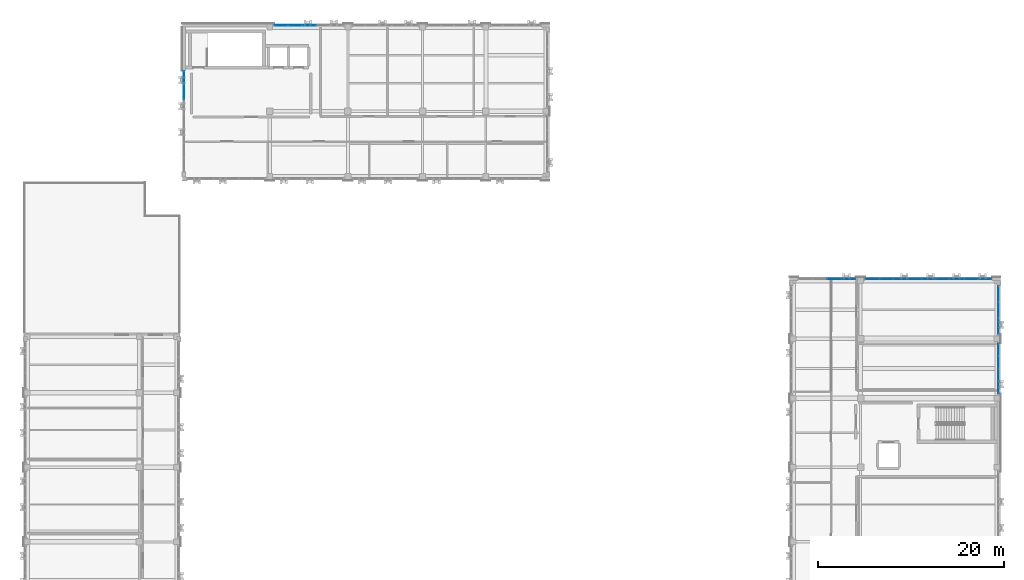
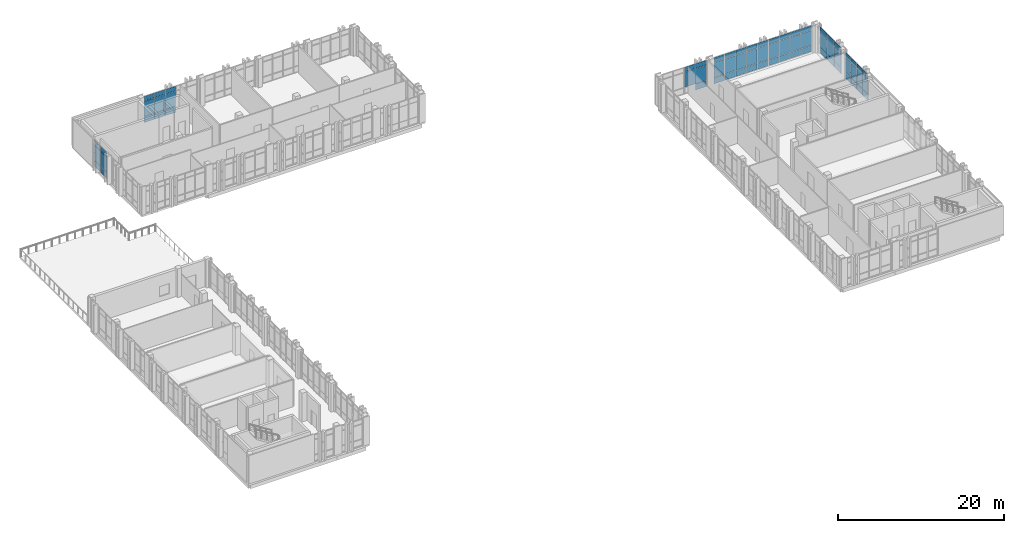
# One storey, part 57 of 77: 68 plates, 6 elements without a shape of their own.
"""IFC4 building model written with IfcOpenShell, lengths in metres."""

from ifc_helpers import new_model, si_unit, direction, frame, origin, origin_2d, place, context, subcontext, project, spatial, rectangle, extrude, material, layer, layer_set, type_object, element, aggregate, save


model = new_model("IFC4")

# Units and contexts
model_context = context("Model", 3, precision=1e-05, world=origin(), true_north=direction((0.0, 1.0)))
body_context = subcontext(model_context, "Body", "Model", "MODEL_VIEW")
ifc_project = project(units=[si_unit("LENGTHUNIT", "METRE"), si_unit("AREAUNIT", "SQUARE_METRE"), si_unit("VOLUMEUNIT", "CUBIC_METRE"), si_unit("PLANEANGLEUNIT", "RADIAN"), si_unit("MASSUNIT", "GRAM", prefix="KILO")], contexts=[model_context])

# Site, building, storey
site_placement = place(None, origin())
site = spatial("IfcSite", under=ifc_project, at=site_placement, CompositionType="ELEMENT")
building_placement = place(site_placement, origin())
building = spatial("IfcBuilding", under=site, at=building_placement, Name="Qalavern Law Courts", CompositionType="ELEMENT")
storey_placement = place(building_placement, frame((0.0, 0.0, 27.0)))
storey = spatial("IfcBuildingStorey", under=building, at=storey_placement, Name="L06", CompositionType="ELEMENT", Elevation=27.0)

# Curtain wall, plates
ifc_material_1 = material(Name="Anodised aluminium and insulated glazing", Category="aluminium")
ifc_layer_1 = layer(ifc_material_1, 0.159912109375)
ifc_layer_set_1 = layer_set([ifc_layer_1], Name="Anodised aluminium and insulated glazing")
curtain_wall_type_1 = type_object("IfcCurtainWallType", Name="ENV-CW-CHAMB", PredefinedType="USERDEFINED", material=ifc_layer_set_1)
curtain_wall_1_placement = place(storey_placement, origin())
curtain_wall_1 = element("IfcCurtainWall", 1, at=curtain_wall_1_placement, inside=storey, type_object=curtain_wall_type_1, Name="V4 unitised curtain wall L06 north 1", ObjectType="UNITISED CURTAIN WALL", PredefinedType="USERDEFINED")
ifc_material_2 = material(Name="Insulated low-E acoustic glazing", Category="glass")
ifc_layer_2 = layer(ifc_material_2, 0.031982421875)
ifc_layer_set_2 = layer_set([ifc_layer_2], Name="Insulated low-E acoustic glazing")
plate_type_1 = type_object("IfcPlateType", Name="ENV-CWP-32", PredefinedType="CURTAIN_PANEL", material=ifc_layer_set_2)
plate_1_placement = place(storey_placement, frame((105.13232421875, 85.614990234375, 0.048095703125), z_axis=(0.0, 0.0, 1.0), x_axis=(-1.0, 0.0, 0.0)))
plate_1 = element("IfcPlate", 2, at=plate_1_placement, type_object=plate_type_1, Name="CW-04 panel 1.1", PredefinedType="CURTAIN_PANEL", context=body_context, shape_type="SweptSolid", body=[
    extrude(rectangle(XDim=1.439208984375, YDim=0.031982421875, at=origin_2d()), origin(), (0.0, 0.0, 1.0), 0.8779296875),
])
plate_2_placement = place(storey_placement, frame((105.13232421875, 85.614990234375, 0.973876953125), z_axis=(0.0, 0.0, 1.0), x_axis=(-1.0, 0.0, 0.0)))
plate_2 = element("IfcPlate", 3, at=plate_2_placement, type_object=plate_type_1, Name="CW-04 panel 1.2", PredefinedType="CURTAIN_PANEL", context=body_context, shape_type="SweptSolid", body=[
    extrude(rectangle(XDim=1.439208984375, YDim=0.031982421875, at=origin_2d()), origin(), (0.0, 0.0, 1.0), 2.18701171875),
])
plate_3_placement = place(storey_placement, frame((105.13232421875, 85.614990234375, 3.208984375), z_axis=(0.0, 0.0, 1.0), x_axis=(-1.0, 0.0, 0.0)))
plate_3 = element("IfcPlate", 4, at=plate_3_placement, type_object=plate_type_1, Name="CW-04 panel 1.3", PredefinedType="CURTAIN_PANEL", context=body_context, shape_type="SweptSolid", body=[
    extrude(rectangle(XDim=1.439208984375, YDim=0.031982421875, at=origin_2d()), origin(), (0.0, 0.0, 1.0), 0.677978515625),
])
plate_4_placement = place(storey_placement, frame((103.63330078125, 85.614990234375, 0.048095703125), z_axis=(0.0, 0.0, 1.0), x_axis=(-1.0, 0.0, 0.0)))
plate_4 = element("IfcPlate", 5, at=plate_4_placement, type_object=plate_type_1, Name="CW-04 panel 2.1", PredefinedType="CURTAIN_PANEL", context=body_context, shape_type="SweptSolid", body=[
    extrude(rectangle(XDim=1.463134765625, YDim=0.031982421875, at=origin_2d()), origin(), (0.0, 0.0, 1.0), 0.8779296875),
])
plate_5_placement = place(storey_placement, frame((103.63330078125, 85.614990234375, 0.973876953125), z_axis=(0.0, 0.0, 1.0), x_axis=(-1.0, 0.0, 0.0)))
plate_5 = element("IfcPlate", 6, at=plate_5_placement, type_object=plate_type_1, Name="CW-04 panel 2.2", PredefinedType="CURTAIN_PANEL", context=body_context, shape_type="SweptSolid", body=[
    extrude(rectangle(XDim=1.463134765625, YDim=0.031982421875, at=origin_2d()), origin(), (0.0, 0.0, 1.0), 2.18701171875),
])
plate_6_placement = place(storey_placement, frame((103.63330078125, 85.614990234375, 3.208984375), z_axis=(0.0, 0.0, 1.0), x_axis=(-1.0, 0.0, 0.0)))
plate_6 = element("IfcPlate", 7, at=plate_6_placement, type_object=plate_type_1, Name="CW-04 panel 2.3", PredefinedType="CURTAIN_PANEL", context=body_context, shape_type="SweptSolid", body=[
    extrude(rectangle(XDim=1.463134765625, YDim=0.031982421875, at=origin_2d()), origin(), (0.0, 0.0, 1.0), 0.677978515625),
])
plate_7_placement = place(storey_placement, frame((102.122314453125, 85.614990234375, 0.048095703125), z_axis=(0.0, 0.0, 1.0), x_axis=(-1.0, 0.0, 0.0)))
plate_7 = element("IfcPlate", 8, at=plate_7_placement, type_object=plate_type_1, Name="CW-04 panel 3.1", PredefinedType="CURTAIN_PANEL", context=body_context, shape_type="SweptSolid", body=[
    extrude(rectangle(XDim=1.463134765625, YDim=0.031982421875, at=origin_2d()), origin(), (0.0, 0.0, 1.0), 0.8779296875),
])
plate_8_placement = place(storey_placement, frame((102.122314453125, 85.614990234375, 0.973876953125), z_axis=(0.0, 0.0, 1.0), x_axis=(-1.0, 0.0, 0.0)))
plate_8 = element("IfcPlate", 9, at=plate_8_placement, type_object=plate_type_1, Name="CW-04 panel 3.2", PredefinedType="CURTAIN_PANEL", context=body_context, shape_type="SweptSolid", body=[
    extrude(rectangle(XDim=1.463134765625, YDim=0.031982421875, at=origin_2d()), origin(), (0.0, 0.0, 1.0), 2.18701171875),
])
plate_9_placement = place(storey_placement, frame((102.122314453125, 85.614990234375, 3.208984375), z_axis=(0.0, 0.0, 1.0), x_axis=(-1.0, 0.0, 0.0)))
plate_9 = element("IfcPlate", 10, at=plate_9_placement, type_object=plate_type_1, Name="CW-04 panel 3.3", PredefinedType="CURTAIN_PANEL", context=body_context, shape_type="SweptSolid", body=[
    extrude(rectangle(XDim=1.463134765625, YDim=0.031982421875, at=origin_2d()), origin(), (0.0, 0.0, 1.0), 0.677978515625),
])
plate_10_placement = place(storey_placement, frame((100.611083984375, 85.614990234375, 0.048095703125), z_axis=(0.0, 0.0, 1.0), x_axis=(-1.0, 0.0, 0.0)))
plate_10 = element("IfcPlate", 11, at=plate_10_placement, type_object=plate_type_1, Name="CW-04 panel 4.1", PredefinedType="CURTAIN_PANEL", context=body_context, shape_type="SweptSolid", body=[
    extrude(rectangle(XDim=1.463134765625, YDim=0.031982421875, at=origin_2d()), origin(), (0.0, 0.0, 1.0), 0.8779296875),
])
plate_11_placement = place(storey_placement, frame((100.611083984375, 85.614990234375, 0.973876953125), z_axis=(0.0, 0.0, 1.0), x_axis=(-1.0, 0.0, 0.0)))
plate_11 = element("IfcPlate", 12, at=plate_11_placement, type_object=plate_type_1, Name="CW-04 panel 4.2", PredefinedType="CURTAIN_PANEL", context=body_context, shape_type="SweptSolid", body=[
    extrude(rectangle(XDim=1.463134765625, YDim=0.031982421875, at=origin_2d()), origin(), (0.0, 0.0, 1.0), 2.18701171875),
])
plate_12_placement = place(storey_placement, frame((100.611083984375, 85.614990234375, 3.208984375), z_axis=(0.0, 0.0, 1.0), x_axis=(-1.0, 0.0, 0.0)))
plate_12 = element("IfcPlate", 13, at=plate_12_placement, type_object=plate_type_1, Name="CW-04 panel 4.3", PredefinedType="CURTAIN_PANEL", context=body_context, shape_type="SweptSolid", body=[
    extrude(rectangle(XDim=1.463134765625, YDim=0.031982421875, at=origin_2d()), origin(), (0.0, 0.0, 1.0), 0.677978515625),
])
plate_13_placement = place(storey_placement, frame((99.10009765625, 85.614990234375, 0.048095703125), z_axis=(0.0, 0.0, 1.0), x_axis=(-1.0, 0.0, 0.0)))
plate_13 = element("IfcPlate", 14, at=plate_13_placement, type_object=plate_type_1, Name="CW-04 panel 5.1", PredefinedType="CURTAIN_PANEL", context=body_context, shape_type="SweptSolid", body=[
    extrude(rectangle(XDim=1.463134765625, YDim=0.031982421875, at=origin_2d()), origin(), (0.0, 0.0, 1.0), 0.8779296875),
])
plate_14_placement = place(storey_placement, frame((99.10009765625, 85.614990234375, 0.973876953125), z_axis=(0.0, 0.0, 1.0), x_axis=(-1.0, 0.0, 0.0)))
plate_14 = element("IfcPlate", 15, at=plate_14_placement, type_object=plate_type_1, Name="CW-04 panel 5.2", PredefinedType="CURTAIN_PANEL", context=body_context, shape_type="SweptSolid", body=[
    extrude(rectangle(XDim=1.463134765625, YDim=0.031982421875, at=origin_2d()), origin(), (0.0, 0.0, 1.0), 2.18701171875),
])
plate_15_placement = place(storey_placement, frame((99.10009765625, 85.614990234375, 3.208984375), z_axis=(0.0, 0.0, 1.0), x_axis=(-1.0, 0.0, 0.0)))
plate_15 = element("IfcPlate", 16, at=plate_15_placement, type_object=plate_type_1, Name="CW-04 panel 5.3", PredefinedType="CURTAIN_PANEL", context=body_context, shape_type="SweptSolid", body=[
    extrude(rectangle(XDim=1.463134765625, YDim=0.031982421875, at=origin_2d()), origin(), (0.0, 0.0, 1.0), 0.677978515625),
])
plate_16_placement = place(storey_placement, frame((97.5888671875, 85.614990234375, 0.048095703125), z_axis=(0.0, 0.0, 1.0), x_axis=(-1.0, 0.0, 0.0)))
plate_16 = element("IfcPlate", 17, at=plate_16_placement, type_object=plate_type_1, Name="CW-04 panel 6.1", PredefinedType="CURTAIN_PANEL", context=body_context, shape_type="SweptSolid", body=[
    extrude(rectangle(XDim=1.463134765625, YDim=0.031982421875, at=origin_2d()), origin(), (0.0, 0.0, 1.0), 0.8779296875),
])
plate_17_placement = place(storey_placement, frame((97.5888671875, 85.614990234375, 0.973876953125), z_axis=(0.0, 0.0, 1.0), x_axis=(-1.0, 0.0, 0.0)))
plate_17 = element("IfcPlate", 18, at=plate_17_placement, type_object=plate_type_1, Name="CW-04 panel 6.2", PredefinedType="CURTAIN_PANEL", context=body_context, shape_type="SweptSolid", body=[
    extrude(rectangle(XDim=1.463134765625, YDim=0.031982421875, at=origin_2d()), origin(), (0.0, 0.0, 1.0), 2.18701171875),
])
plate_18_placement = place(storey_placement, frame((97.5888671875, 85.614990234375, 3.208984375), z_axis=(0.0, 0.0, 1.0), x_axis=(-1.0, 0.0, 0.0)))
plate_18 = element("IfcPlate", 19, at=plate_18_placement, type_object=plate_type_1, Name="CW-04 panel 6.3", PredefinedType="CURTAIN_PANEL", context=body_context, shape_type="SweptSolid", body=[
    extrude(rectangle(XDim=1.463134765625, YDim=0.031982421875, at=origin_2d()), origin(), (0.0, 0.0, 1.0), 0.677978515625),
])
plate_19_placement = place(storey_placement, frame((96.077880859375, 85.614990234375, 0.048095703125), z_axis=(0.0, 0.0, 1.0), x_axis=(-1.0, 0.0, 0.0)))
plate_19 = element("IfcPlate", 20, at=plate_19_placement, type_object=plate_type_1, Name="CW-04 panel 7.1", PredefinedType="CURTAIN_PANEL", context=body_context, shape_type="SweptSolid", body=[
    extrude(rectangle(XDim=1.463134765625, YDim=0.031982421875, at=origin_2d()), origin(), (0.0, 0.0, 1.0), 0.8779296875),
])
plate_20_placement = place(storey_placement, frame((96.077880859375, 85.614990234375, 0.973876953125), z_axis=(0.0, 0.0, 1.0), x_axis=(-1.0, 0.0, 0.0)))
plate_20 = element("IfcPlate", 21, at=plate_20_placement, type_object=plate_type_1, Name="CW-04 panel 7.2", PredefinedType="CURTAIN_PANEL", context=body_context, shape_type="SweptSolid", body=[
    extrude(rectangle(XDim=1.463134765625, YDim=0.031982421875, at=origin_2d()), origin(), (0.0, 0.0, 1.0), 2.18701171875),
])
plate_21_placement = place(storey_placement, frame((96.077880859375, 85.614990234375, 3.208984375), z_axis=(0.0, 0.0, 1.0), x_axis=(-1.0, 0.0, 0.0)))
plate_21 = element("IfcPlate", 22, at=plate_21_placement, type_object=plate_type_1, Name="CW-04 panel 7.3", PredefinedType="CURTAIN_PANEL", context=body_context, shape_type="SweptSolid", body=[
    extrude(rectangle(XDim=1.463134765625, YDim=0.031982421875, at=origin_2d()), origin(), (0.0, 0.0, 1.0), 0.677978515625),
])
plate_22_placement = place(storey_placement, frame((94.566650390625, 85.614990234375, 0.048095703125), z_axis=(0.0, 0.0, 1.0), x_axis=(-1.0, 0.0, 0.0)))
plate_22 = element("IfcPlate", 23, at=plate_22_placement, type_object=plate_type_1, Name="CW-04 panel 8.1", PredefinedType="CURTAIN_PANEL", context=body_context, shape_type="SweptSolid", body=[
    extrude(rectangle(XDim=1.463134765625, YDim=0.031982421875, at=origin_2d()), origin(), (0.0, 0.0, 1.0), 0.8779296875),
])
plate_23_placement = place(storey_placement, frame((94.566650390625, 85.614990234375, 0.973876953125), z_axis=(0.0, 0.0, 1.0), x_axis=(-1.0, 0.0, 0.0)))
plate_23 = element("IfcPlate", 24, at=plate_23_placement, type_object=plate_type_1, Name="CW-04 panel 8.2", PredefinedType="CURTAIN_PANEL", context=body_context, shape_type="SweptSolid", body=[
    extrude(rectangle(XDim=1.463134765625, YDim=0.031982421875, at=origin_2d()), origin(), (0.0, 0.0, 1.0), 2.18701171875),
])
plate_24_placement = place(storey_placement, frame((94.566650390625, 85.614990234375, 3.208984375), z_axis=(0.0, 0.0, 1.0), x_axis=(-1.0, 0.0, 0.0)))
plate_24 = element("IfcPlate", 25, at=plate_24_placement, type_object=plate_type_1, Name="CW-04 panel 8.3", PredefinedType="CURTAIN_PANEL", context=body_context, shape_type="SweptSolid", body=[
    extrude(rectangle(XDim=1.463134765625, YDim=0.031982421875, at=origin_2d()), origin(), (0.0, 0.0, 1.0), 0.677978515625),
])
plate_25_placement = place(storey_placement, frame((93.067626953125, 85.614990234375, 0.048095703125), z_axis=(0.0, 0.0, 1.0), x_axis=(-1.0, 0.0, 0.0)))
plate_25 = element("IfcPlate", 26, at=plate_25_placement, type_object=plate_type_1, Name="CW-04 panel 9.1", PredefinedType="CURTAIN_PANEL", context=body_context, shape_type="SweptSolid", body=[
    extrude(rectangle(XDim=1.439208984375, YDim=0.031982421875, at=origin_2d()), origin(), (0.0, 0.0, 1.0), 0.8779296875),
])
plate_26_placement = place(storey_placement, frame((93.067626953125, 85.614990234375, 0.973876953125), z_axis=(0.0, 0.0, 1.0), x_axis=(-1.0, 0.0, 0.0)))
plate_26 = element("IfcPlate", 27, at=plate_26_placement, type_object=plate_type_1, Name="CW-04 panel 9.2", PredefinedType="CURTAIN_PANEL", context=body_context, shape_type="SweptSolid", body=[
    extrude(rectangle(XDim=1.439208984375, YDim=0.031982421875, at=origin_2d()), origin(), (0.0, 0.0, 1.0), 2.18701171875),
])
plate_27_placement = place(storey_placement, frame((93.067626953125, 85.614990234375, 3.208984375), z_axis=(0.0, 0.0, 1.0), x_axis=(-1.0, 0.0, 0.0)))
plate_27 = element("IfcPlate", 28, at=plate_27_placement, type_object=plate_type_1, Name="CW-04 panel 9.3", PredefinedType="CURTAIN_PANEL", context=body_context, shape_type="SweptSolid", body=[
    extrude(rectangle(XDim=1.439208984375, YDim=0.031982421875, at=origin_2d()), origin(), (0.0, 0.0, 1.0), 0.677978515625),
])
aggregate(curtain_wall_1, [plate_1, plate_2, plate_3, plate_4, plate_5, plate_6, plate_7, plate_8, plate_9, plate_10, plate_11, plate_12, plate_13, plate_14, plate_15, plate_16, plate_17, plate_18, plate_19, plate_20, plate_21, plate_22, plate_23, plate_24, plate_25, plate_26, plate_27])

ifc_layer_3 = layer(ifc_material_1, 0.166015625)
ifc_layer_set_3 = layer_set([ifc_layer_3], Name="Anodised aluminium and insulated glazing")
curtain_wall_type_2 = type_object("IfcCurtainWallType", Name="ENV-CW-LIB", PredefinedType="USERDEFINED", material=ifc_layer_set_3)
curtain_wall_2_placement = place(storey_placement, origin())
curtain_wall_2 = element("IfcCurtainWall", 29, at=curtain_wall_2_placement, inside=storey, type_object=curtain_wall_type_2, Name="V5 unitised curtain wall L06 west 1", ObjectType="UNITISED CURTAIN WALL", PredefinedType="USERDEFINED")
plate_28_placement = place(storey_placement, frame((19.205078125, 107.1640625, 0.048095703125), z_axis=(0.0, 0.0, 1.0), x_axis=(0.0, -1.0, 0.0)))
plate_28 = element("IfcPlate", 30, at=plate_28_placement, type_object=plate_type_1, Name="CW-05 panel 1.1", PredefinedType="CURTAIN_PANEL", context=body_context, shape_type="SweptSolid", body=[
    extrude(rectangle(XDim=1.475830078125, YDim=0.031982421875, at=origin_2d()), origin(), (0.0, 0.0, 1.0), 0.8779296875),
])
plate_29_placement = place(storey_placement, frame((19.205078125, 107.1640625, 0.973876953125), z_axis=(0.0, 0.0, 1.0), x_axis=(0.0, -1.0, 0.0)))
plate_29 = element("IfcPlate", 31, at=plate_29_placement, type_object=plate_type_1, Name="CW-05 panel 1.2", PredefinedType="CURTAIN_PANEL", context=body_context, shape_type="SweptSolid", body=[
    extrude(rectangle(XDim=1.475830078125, YDim=0.031982421875, at=origin_2d()), origin(), (0.0, 0.0, 1.0), 2.18701171875),
])
plate_30_placement = place(storey_placement, frame((19.205078125, 107.1640625, 3.208984375), z_axis=(0.0, 0.0, 1.0), x_axis=(0.0, -1.0, 0.0)))
plate_30 = element("IfcPlate", 32, at=plate_30_placement, type_object=plate_type_1, Name="CW-05 panel 1.3", PredefinedType="CURTAIN_PANEL", context=body_context, shape_type="SweptSolid", body=[
    extrude(rectangle(XDim=1.475830078125, YDim=0.031982421875, at=origin_2d()), origin(), (0.0, 0.0, 1.0), 0.677978515625),
])
plate_31_placement = place(storey_placement, frame((19.205078125, 105.628173828125, 0.048095703125), z_axis=(0.0, 0.0, 1.0), x_axis=(0.0, -1.0, 0.0)))
plate_31 = element("IfcPlate", 33, at=plate_31_placement, type_object=plate_type_1, Name="CW-05 panel 2.1", PredefinedType="CURTAIN_PANEL", context=body_context, shape_type="SweptSolid", body=[
    extrude(rectangle(XDim=1.499755859375, YDim=0.031982421875, at=origin_2d()), origin(), (0.0, 0.0, 1.0), 0.8779296875),
])
plate_32_placement = place(storey_placement, frame((19.205078125, 105.628173828125, 0.973876953125), z_axis=(0.0, 0.0, 1.0), x_axis=(0.0, -1.0, 0.0)))
plate_32 = element("IfcPlate", 34, at=plate_32_placement, type_object=plate_type_1, Name="CW-05 panel 2.2", PredefinedType="CURTAIN_PANEL", context=body_context, shape_type="SweptSolid", body=[
    extrude(rectangle(XDim=1.499755859375, YDim=0.031982421875, at=origin_2d()), origin(), (0.0, 0.0, 1.0), 2.18701171875),
])
plate_33_placement = place(storey_placement, frame((19.205078125, 105.628173828125, 3.208984375), z_axis=(0.0, 0.0, 1.0), x_axis=(0.0, -1.0, 0.0)))
plate_33 = element("IfcPlate", 35, at=plate_33_placement, type_object=plate_type_1, Name="CW-05 panel 2.3", PredefinedType="CURTAIN_PANEL", context=body_context, shape_type="SweptSolid", body=[
    extrude(rectangle(XDim=1.499755859375, YDim=0.031982421875, at=origin_2d()), origin(), (0.0, 0.0, 1.0), 0.677978515625),
])
aggregate(curtain_wall_2, [plate_28, plate_29, plate_30, plate_31, plate_32, plate_33])

curtain_wall_3_placement = place(storey_placement, origin())
curtain_wall_3 = element("IfcCurtainWall", 36, at=curtain_wall_3_placement, inside=storey, type_object=curtain_wall_type_1, Name="V4 unitised curtain wall L06 north 2", ObjectType="UNITISED CURTAIN WALL", PredefinedType="USERDEFINED")
ifc_layer_4 = layer(ifc_material_2, 0.035888671875)
ifc_layer_set_4 = layer_set([ifc_layer_4], Name="Insulated low-E acoustic glazing")
plate_type_2 = type_object("IfcPlateType", Name="ENV-CWP-36", PredefinedType="CURTAIN_PANEL", material=ifc_layer_set_4)
plate_34_placement = place(storey_placement, frame((90.512939453125, 85.614990234375, 0.048095703125), z_axis=(0.0, 0.0, 1.0), x_axis=(-1.0, 0.0, 0.0)))
plate_34 = element("IfcPlate", 37, at=plate_34_placement, type_object=plate_type_2, Name="CW-04 panel 1.1", PredefinedType="CURTAIN_PANEL", context=body_context, shape_type="SweptSolid", body=[
    extrude(rectangle(XDim=1.47802734375, YDim=0.035888671875, at=origin_2d()), origin(), (0.0, 0.0, 1.0), 0.8779296875),
])
plate_35_placement = place(storey_placement, frame((90.512939453125, 85.614990234375, 0.973876953125), z_axis=(0.0, 0.0, 1.0), x_axis=(-1.0, 0.0, 0.0)))
plate_35 = element("IfcPlate", 38, at=plate_35_placement, type_object=plate_type_2, Name="CW-04 panel 1.2", PredefinedType="CURTAIN_PANEL", context=body_context, shape_type="SweptSolid", body=[
    extrude(rectangle(XDim=1.47802734375, YDim=0.035888671875, at=origin_2d()), origin(), (0.0, 0.0, 1.0), 2.18701171875),
])
plate_36_placement = place(storey_placement, frame((90.512939453125, 85.614990234375, 3.208984375), z_axis=(0.0, 0.0, 1.0), x_axis=(-1.0, 0.0, 0.0)))
plate_36 = element("IfcPlate", 39, at=plate_36_placement, type_object=plate_type_2, Name="CW-04 panel 1.3", PredefinedType="CURTAIN_PANEL", context=body_context, shape_type="SweptSolid", body=[
    extrude(rectangle(XDim=1.47802734375, YDim=0.035888671875, at=origin_2d()), origin(), (0.0, 0.0, 1.0), 0.677978515625),
])
plate_37_placement = place(storey_placement, frame((88.97509765625, 85.614990234375, 0.973876953125), z_axis=(0.0, 0.0, 1.0), x_axis=(-1.0, 0.0, 0.0)))
plate_37 = element("IfcPlate", 40, at=plate_37_placement, type_object=plate_type_2, Name="CW-04 panel 2.2", PredefinedType="CURTAIN_PANEL", context=body_context, shape_type="SweptSolid", body=[
    extrude(rectangle(XDim=1.501953125, YDim=0.035888671875, at=origin_2d()), origin(), (0.0, 0.0, 1.0), 2.18701171875),
])
plate_38_placement = place(storey_placement, frame((88.97509765625, 85.614990234375, 3.208984375), z_axis=(0.0, 0.0, 1.0), x_axis=(-1.0, 0.0, 0.0)))
plate_38 = element("IfcPlate", 41, at=plate_38_placement, type_object=plate_type_2, Name="CW-04 panel 2.3", PredefinedType="CURTAIN_PANEL", context=body_context, shape_type="SweptSolid", body=[
    extrude(rectangle(XDim=1.501953125, YDim=0.035888671875, at=origin_2d()), origin(), (0.0, 0.0, 1.0), 0.677978515625),
])
aggregate(curtain_wall_3, [plate_34, plate_35, plate_36, plate_37, plate_38])

curtain_wall_4_placement = place(storey_placement, origin())
curtain_wall_4 = element("IfcCurtainWall", 42, at=curtain_wall_4_placement, inside=storey, type_object=curtain_wall_type_1, Name="V4 unitised curtain wall L06 east 4", ObjectType="UNITISED CURTAIN WALL", PredefinedType="USERDEFINED")
ifc_layer_5 = layer(ifc_material_2, 0.0439453125)
ifc_layer_set_5 = layer_set([ifc_layer_5], Name="Insulated low-E acoustic glazing")
plate_type_3 = type_object("IfcPlateType", Name="ENV-CWP-44", PredefinedType="CURTAIN_PANEL", material=ifc_layer_set_5)
plate_39_placement = place(storey_placement, frame((106.614990234375, 73.987060546875, 0.048095703125), z_axis=(0.0, 0.0, 1.0), x_axis=(0.0, 1.0, 0.0)))
plate_39 = element("IfcPlate", 43, at=plate_39_placement, type_object=plate_type_3, Name="CW-04 panel 1.1", PredefinedType="CURTAIN_PANEL", context=body_context, shape_type="SweptSolid", body=[
    extrude(rectangle(XDim=1.278076171875, YDim=0.0439453125, at=origin_2d()), origin(), (0.0, 0.0, 1.0), 0.8779296875),
])
plate_40_placement = place(storey_placement, frame((106.614990234375, 73.987060546875, 0.973876953125), z_axis=(0.0, 0.0, 1.0), x_axis=(0.0, 1.0, 0.0)))
plate_40 = element("IfcPlate", 44, at=plate_40_placement, type_object=plate_type_3, Name="CW-04 panel 1.2", PredefinedType="CURTAIN_PANEL", context=body_context, shape_type="SweptSolid", body=[
    extrude(rectangle(XDim=1.278076171875, YDim=0.0439453125, at=origin_2d()), origin(), (0.0, 0.0, 1.0), 2.18701171875),
])
plate_41_placement = place(storey_placement, frame((106.614990234375, 73.987060546875, 3.208984375), z_axis=(0.0, 0.0, 1.0), x_axis=(0.0, 1.0, 0.0)))
plate_41 = element("IfcPlate", 45, at=plate_41_placement, type_object=plate_type_3, Name="CW-04 panel 1.3", PredefinedType="CURTAIN_PANEL", context=body_context, shape_type="SweptSolid", body=[
    extrude(rectangle(XDim=1.278076171875, YDim=0.0439453125, at=origin_2d()), origin(), (0.0, 0.0, 1.0), 0.677978515625),
])
plate_42_placement = place(storey_placement, frame((106.614990234375, 75.324951171875, 0.048095703125), z_axis=(0.0, 0.0, 1.0), x_axis=(0.0, 1.0, 0.0)))
plate_42 = element("IfcPlate", 46, at=plate_42_placement, type_object=plate_type_3, Name="CW-04 panel 2.1", PredefinedType="CURTAIN_PANEL", context=body_context, shape_type="SweptSolid", body=[
    extrude(rectangle(XDim=1.302001953125, YDim=0.0439453125, at=origin_2d()), origin(), (0.0, 0.0, 1.0), 0.8779296875),
])
plate_43_placement = place(storey_placement, frame((106.614990234375, 75.324951171875, 0.973876953125), z_axis=(0.0, 0.0, 1.0), x_axis=(0.0, 1.0, 0.0)))
plate_43 = element("IfcPlate", 47, at=plate_43_placement, type_object=plate_type_3, Name="CW-04 panel 2.2", PredefinedType="CURTAIN_PANEL", context=body_context, shape_type="SweptSolid", body=[
    extrude(rectangle(XDim=1.302001953125, YDim=0.0439453125, at=origin_2d()), origin(), (0.0, 0.0, 1.0), 2.18701171875),
])
plate_44_placement = place(storey_placement, frame((106.614990234375, 75.324951171875, 3.208984375), z_axis=(0.0, 0.0, 1.0), x_axis=(0.0, 1.0, 0.0)))
plate_44 = element("IfcPlate", 48, at=plate_44_placement, type_object=plate_type_3, Name="CW-04 panel 2.3", PredefinedType="CURTAIN_PANEL", context=body_context, shape_type="SweptSolid", body=[
    extrude(rectangle(XDim=1.302001953125, YDim=0.0439453125, at=origin_2d()), origin(), (0.0, 0.0, 1.0), 0.677978515625),
])
plate_45_placement = place(storey_placement, frame((106.614990234375, 76.675048828125, 0.048095703125), z_axis=(0.0, 0.0, 1.0), x_axis=(0.0, 1.0, 0.0)))
plate_45 = element("IfcPlate", 49, at=plate_45_placement, type_object=plate_type_3, Name="CW-04 panel 3.1", PredefinedType="CURTAIN_PANEL", context=body_context, shape_type="SweptSolid", body=[
    extrude(rectangle(XDim=1.302001953125, YDim=0.0439453125, at=origin_2d()), origin(), (0.0, 0.0, 1.0), 0.8779296875),
])
plate_46_placement = place(storey_placement, frame((106.614990234375, 76.675048828125, 0.973876953125), z_axis=(0.0, 0.0, 1.0), x_axis=(0.0, 1.0, 0.0)))
plate_46 = element("IfcPlate", 50, at=plate_46_placement, type_object=plate_type_3, Name="CW-04 panel 3.2", PredefinedType="CURTAIN_PANEL", context=body_context, shape_type="SweptSolid", body=[
    extrude(rectangle(XDim=1.302001953125, YDim=0.0439453125, at=origin_2d()), origin(), (0.0, 0.0, 1.0), 2.18701171875),
])
plate_47_placement = place(storey_placement, frame((106.614990234375, 76.675048828125, 3.208984375), z_axis=(0.0, 0.0, 1.0), x_axis=(0.0, 1.0, 0.0)))
plate_47 = element("IfcPlate", 51, at=plate_47_placement, type_object=plate_type_3, Name="CW-04 panel 3.3", PredefinedType="CURTAIN_PANEL", context=body_context, shape_type="SweptSolid", body=[
    extrude(rectangle(XDim=1.302001953125, YDim=0.0439453125, at=origin_2d()), origin(), (0.0, 0.0, 1.0), 0.677978515625),
])
plate_48_placement = place(storey_placement, frame((106.614990234375, 78.012939453125, 0.048095703125), z_axis=(0.0, 0.0, 1.0), x_axis=(0.0, 1.0, 0.0)))
plate_48 = element("IfcPlate", 52, at=plate_48_placement, type_object=plate_type_3, Name="CW-04 panel 4.1", PredefinedType="CURTAIN_PANEL", context=body_context, shape_type="SweptSolid", body=[
    extrude(rectangle(XDim=1.278076171875, YDim=0.0439453125, at=origin_2d()), origin(), (0.0, 0.0, 1.0), 0.8779296875),
])
plate_49_placement = place(storey_placement, frame((106.614990234375, 78.012939453125, 0.973876953125), z_axis=(0.0, 0.0, 1.0), x_axis=(0.0, 1.0, 0.0)))
plate_49 = element("IfcPlate", 53, at=plate_49_placement, type_object=plate_type_3, Name="CW-04 panel 4.2", PredefinedType="CURTAIN_PANEL", context=body_context, shape_type="SweptSolid", body=[
    extrude(rectangle(XDim=1.278076171875, YDim=0.0439453125, at=origin_2d()), origin(), (0.0, 0.0, 1.0), 2.18701171875),
])
plate_50_placement = place(storey_placement, frame((106.614990234375, 78.012939453125, 3.208984375), z_axis=(0.0, 0.0, 1.0), x_axis=(0.0, 1.0, 0.0)))
plate_50 = element("IfcPlate", 54, at=plate_50_placement, type_object=plate_type_3, Name="CW-04 panel 4.3", PredefinedType="CURTAIN_PANEL", context=body_context, shape_type="SweptSolid", body=[
    extrude(rectangle(XDim=1.278076171875, YDim=0.0439453125, at=origin_2d()), origin(), (0.0, 0.0, 1.0), 0.677978515625),
])
aggregate(curtain_wall_4, [plate_39, plate_40, plate_41, plate_42, plate_43, plate_44, plate_45, plate_46, plate_47, plate_48, plate_49, plate_50])

curtain_wall_5_placement = place(storey_placement, origin())
curtain_wall_5 = element("IfcCurtainWall", 55, at=curtain_wall_5_placement, inside=storey, type_object=curtain_wall_type_2, Name="V5 unitised curtain wall L06 north 4", ObjectType="UNITISED CURTAIN WALL", PredefinedType="USERDEFINED")
plate_51_placement = place(storey_placement, frame((32.60009765625, 112.81494140625, 0.048095703125), z_axis=(0.0, 0.0, 1.0), x_axis=(-1.0, 0.0, 0.0)))
plate_51 = element("IfcPlate", 56, at=plate_51_placement, type_object=plate_type_3, Name="CW-05 panel 3.1", PredefinedType="CURTAIN_PANEL", context=body_context, shape_type="SweptSolid", body=[
    extrude(rectangle(XDim=1.431884765625, YDim=0.0439453125, at=origin_2d()), origin(), (0.0, 0.0, 1.0), 0.8779296875),
])
plate_52_placement = place(storey_placement, frame((32.60009765625, 112.81494140625, 0.973876953125), z_axis=(0.0, 0.0, 1.0), x_axis=(-1.0, 0.0, 0.0)))
plate_52 = element("IfcPlate", 57, at=plate_52_placement, type_object=plate_type_3, Name="CW-05 panel 3.2", PredefinedType="CURTAIN_PANEL", context=body_context, shape_type="SweptSolid", body=[
    extrude(rectangle(XDim=1.431884765625, YDim=0.0439453125, at=origin_2d()), origin(), (0.0, 0.0, 1.0), 2.18701171875),
])
plate_53_placement = place(storey_placement, frame((32.60009765625, 112.81494140625, 3.208984375), z_axis=(0.0, 0.0, 1.0), x_axis=(-1.0, 0.0, 0.0)))
plate_53 = element("IfcPlate", 58, at=plate_53_placement, type_object=plate_type_3, Name="CW-05 panel 3.3", PredefinedType="CURTAIN_PANEL", context=body_context, shape_type="SweptSolid", body=[
    extrude(rectangle(XDim=1.431884765625, YDim=0.0439453125, at=origin_2d()), origin(), (0.0, 0.0, 1.0), 0.677978515625),
])
plate_54_placement = place(storey_placement, frame((31.1201171875, 112.81494140625, 0.048095703125), z_axis=(0.0, 0.0, 1.0), x_axis=(-1.0, 0.0, 0.0)))
plate_54 = element("IfcPlate", 59, at=plate_54_placement, type_object=plate_type_3, Name="CW-05 panel 4.1", PredefinedType="CURTAIN_PANEL", context=body_context, shape_type="SweptSolid", body=[
    extrude(rectangle(XDim=1.431884765625, YDim=0.0439453125, at=origin_2d()), origin(), (0.0, 0.0, 1.0), 0.8779296875),
])
plate_55_placement = place(storey_placement, frame((31.1201171875, 112.81494140625, 0.973876953125), z_axis=(0.0, 0.0, 1.0), x_axis=(-1.0, 0.0, 0.0)))
plate_55 = element("IfcPlate", 60, at=plate_55_placement, type_object=plate_type_3, Name="CW-05 panel 4.2", PredefinedType="CURTAIN_PANEL", context=body_context, shape_type="SweptSolid", body=[
    extrude(rectangle(XDim=1.431884765625, YDim=0.0439453125, at=origin_2d()), origin(), (0.0, 0.0, 1.0), 2.18701171875),
])
plate_56_placement = place(storey_placement, frame((31.1201171875, 112.81494140625, 3.208984375), z_axis=(0.0, 0.0, 1.0), x_axis=(-1.0, 0.0, 0.0)))
plate_56 = element("IfcPlate", 61, at=plate_56_placement, type_object=plate_type_3, Name="CW-05 panel 4.3", PredefinedType="CURTAIN_PANEL", context=body_context, shape_type="SweptSolid", body=[
    extrude(rectangle(XDim=1.431884765625, YDim=0.0439453125, at=origin_2d()), origin(), (0.0, 0.0, 1.0), 0.677978515625),
])
plate_57_placement = place(storey_placement, frame((29.652099609375, 112.81494140625, 0.048095703125), z_axis=(0.0, 0.0, 1.0), x_axis=(-1.0, 0.0, 0.0)))
plate_57 = element("IfcPlate", 62, at=plate_57_placement, type_object=plate_type_3, Name="CW-05 panel 5.1", PredefinedType="CURTAIN_PANEL", context=body_context, shape_type="SweptSolid", body=[
    extrude(rectangle(XDim=1.407958984375, YDim=0.0439453125, at=origin_2d()), origin(), (0.0, 0.0, 1.0), 0.8779296875),
])
plate_58_placement = place(storey_placement, frame((29.652099609375, 112.81494140625, 0.973876953125), z_axis=(0.0, 0.0, 1.0), x_axis=(-1.0, 0.0, 0.0)))
plate_58 = element("IfcPlate", 63, at=plate_58_placement, type_object=plate_type_3, Name="CW-05 panel 5.2", PredefinedType="CURTAIN_PANEL", context=body_context, shape_type="SweptSolid", body=[
    extrude(rectangle(XDim=1.407958984375, YDim=0.0439453125, at=origin_2d()), origin(), (0.0, 0.0, 1.0), 2.18701171875),
])
plate_59_placement = place(storey_placement, frame((29.652099609375, 112.81494140625, 3.208984375), z_axis=(0.0, 0.0, 1.0), x_axis=(-1.0, 0.0, 0.0)))
plate_59 = element("IfcPlate", 64, at=plate_59_placement, type_object=plate_type_3, Name="CW-05 panel 5.3", PredefinedType="CURTAIN_PANEL", context=body_context, shape_type="SweptSolid", body=[
    extrude(rectangle(XDim=1.407958984375, YDim=0.0439453125, at=origin_2d()), origin(), (0.0, 0.0, 1.0), 0.677978515625),
])
aggregate(curtain_wall_5, [plate_51, plate_52, plate_53, plate_54, plate_55, plate_56, plate_57, plate_58, plate_59])

curtain_wall_6_placement = place(storey_placement, origin())
curtain_wall_6 = element("IfcCurtainWall", 65, at=curtain_wall_6_placement, inside=storey, type_object=curtain_wall_type_1, Name="V4 unitised curtain wall L06 east 5", ObjectType="UNITISED CURTAIN WALL", PredefinedType="USERDEFINED")
ifc_layer_6 = layer(ifc_material_2, 0.048095703125)
ifc_layer_set_6 = layer_set([ifc_layer_6], Name="Insulated low-E acoustic glazing")
plate_type_4 = type_object("IfcPlateType", Name="ENV-CWP-48", PredefinedType="CURTAIN_PANEL", material=ifc_layer_set_6)
plate_60_placement = place(storey_placement, frame((106.614990234375, 80.576171875, 0.048095703125), z_axis=(0.0, 0.0, 1.0), x_axis=(0.0, 1.0, 0.0)))
plate_60 = element("IfcPlate", 66, at=plate_60_placement, type_object=plate_type_4, Name="CW-04 panel 1.1", PredefinedType="CURTAIN_PANEL", context=body_context, shape_type="SweptSolid", body=[
    extrude(rectangle(XDim=1.65625, YDim=0.048095703125, at=origin_2d()), origin(), (0.0, 0.0, 1.0), 0.8779296875),
])
plate_61_placement = place(storey_placement, frame((106.614990234375, 80.576171875, 0.973876953125), z_axis=(0.0, 0.0, 1.0), x_axis=(0.0, 1.0, 0.0)))
plate_61 = element("IfcPlate", 67, at=plate_61_placement, type_object=plate_type_4, Name="CW-04 panel 1.2", PredefinedType="CURTAIN_PANEL", context=body_context, shape_type="SweptSolid", body=[
    extrude(rectangle(XDim=1.65625, YDim=0.048095703125, at=origin_2d()), origin(), (0.0, 0.0, 1.0), 2.18701171875),
])
plate_62_placement = place(storey_placement, frame((106.614990234375, 80.576171875, 3.208984375), z_axis=(0.0, 0.0, 1.0), x_axis=(0.0, 1.0, 0.0)))
plate_62 = element("IfcPlate", 68, at=plate_62_placement, type_object=plate_type_4, Name="CW-04 panel 1.3", PredefinedType="CURTAIN_PANEL", context=body_context, shape_type="SweptSolid", body=[
    extrude(rectangle(XDim=1.65625, YDim=0.048095703125, at=origin_2d()), origin(), (0.0, 0.0, 1.0), 0.677978515625),
])
plate_63_placement = place(storey_placement, frame((106.614990234375, 82.29248046875, 0.048095703125), z_axis=(0.0, 0.0, 1.0), x_axis=(0.0, 1.0, 0.0)))
plate_63 = element("IfcPlate", 69, at=plate_63_placement, type_object=plate_type_4, Name="CW-04 panel 2.1", PredefinedType="CURTAIN_PANEL", context=body_context, shape_type="SweptSolid", body=[
    extrude(rectangle(XDim=1.680419921875, YDim=0.048095703125, at=origin_2d()), origin(), (0.0, 0.0, 1.0), 0.8779296875),
])
plate_64_placement = place(storey_placement, frame((106.614990234375, 82.29248046875, 0.973876953125), z_axis=(0.0, 0.0, 1.0), x_axis=(0.0, 1.0, 0.0)))
plate_64 = element("IfcPlate", 70, at=plate_64_placement, type_object=plate_type_4, Name="CW-04 panel 2.2", PredefinedType="CURTAIN_PANEL", context=body_context, shape_type="SweptSolid", body=[
    extrude(rectangle(XDim=1.680419921875, YDim=0.048095703125, at=origin_2d()), origin(), (0.0, 0.0, 1.0), 2.18701171875),
])
plate_65_placement = place(storey_placement, frame((106.614990234375, 82.29248046875, 3.208984375), z_axis=(0.0, 0.0, 1.0), x_axis=(0.0, 1.0, 0.0)))
plate_65 = element("IfcPlate", 71, at=plate_65_placement, type_object=plate_type_4, Name="CW-04 panel 2.3", PredefinedType="CURTAIN_PANEL", context=body_context, shape_type="SweptSolid", body=[
    extrude(rectangle(XDim=1.680419921875, YDim=0.048095703125, at=origin_2d()), origin(), (0.0, 0.0, 1.0), 0.677978515625),
])
plate_66_placement = place(storey_placement, frame((106.614990234375, 84.0087890625, 0.048095703125), z_axis=(0.0, 0.0, 1.0), x_axis=(0.0, 1.0, 0.0)))
plate_66 = element("IfcPlate", 72, at=plate_66_placement, type_object=plate_type_4, Name="CW-04 panel 3.1", PredefinedType="CURTAIN_PANEL", context=body_context, shape_type="SweptSolid", body=[
    extrude(rectangle(XDim=1.65625, YDim=0.048095703125, at=origin_2d()), origin(), (0.0, 0.0, 1.0), 0.8779296875),
])
plate_67_placement = place(storey_placement, frame((106.614990234375, 84.0087890625, 0.973876953125), z_axis=(0.0, 0.0, 1.0), x_axis=(0.0, 1.0, 0.0)))
plate_67 = element("IfcPlate", 73, at=plate_67_placement, type_object=plate_type_4, Name="CW-04 panel 3.2", PredefinedType="CURTAIN_PANEL", context=body_context, shape_type="SweptSolid", body=[
    extrude(rectangle(XDim=1.65625, YDim=0.048095703125, at=origin_2d()), origin(), (0.0, 0.0, 1.0), 2.18701171875),
])
plate_68_placement = place(storey_placement, frame((106.614990234375, 84.0087890625, 3.208984375), z_axis=(0.0, 0.0, 1.0), x_axis=(0.0, 1.0, 0.0)))
plate_68 = element("IfcPlate", 74, at=plate_68_placement, type_object=plate_type_4, Name="CW-04 panel 3.3", PredefinedType="CURTAIN_PANEL", context=body_context, shape_type="SweptSolid", body=[
    extrude(rectangle(XDim=1.65625, YDim=0.048095703125, at=origin_2d()), origin(), (0.0, 0.0, 1.0), 0.677978515625),
])
aggregate(curtain_wall_6, [plate_60, plate_61, plate_62, plate_63, plate_64, plate_65, plate_66, plate_67, plate_68])

save(model, "model.ifc")
